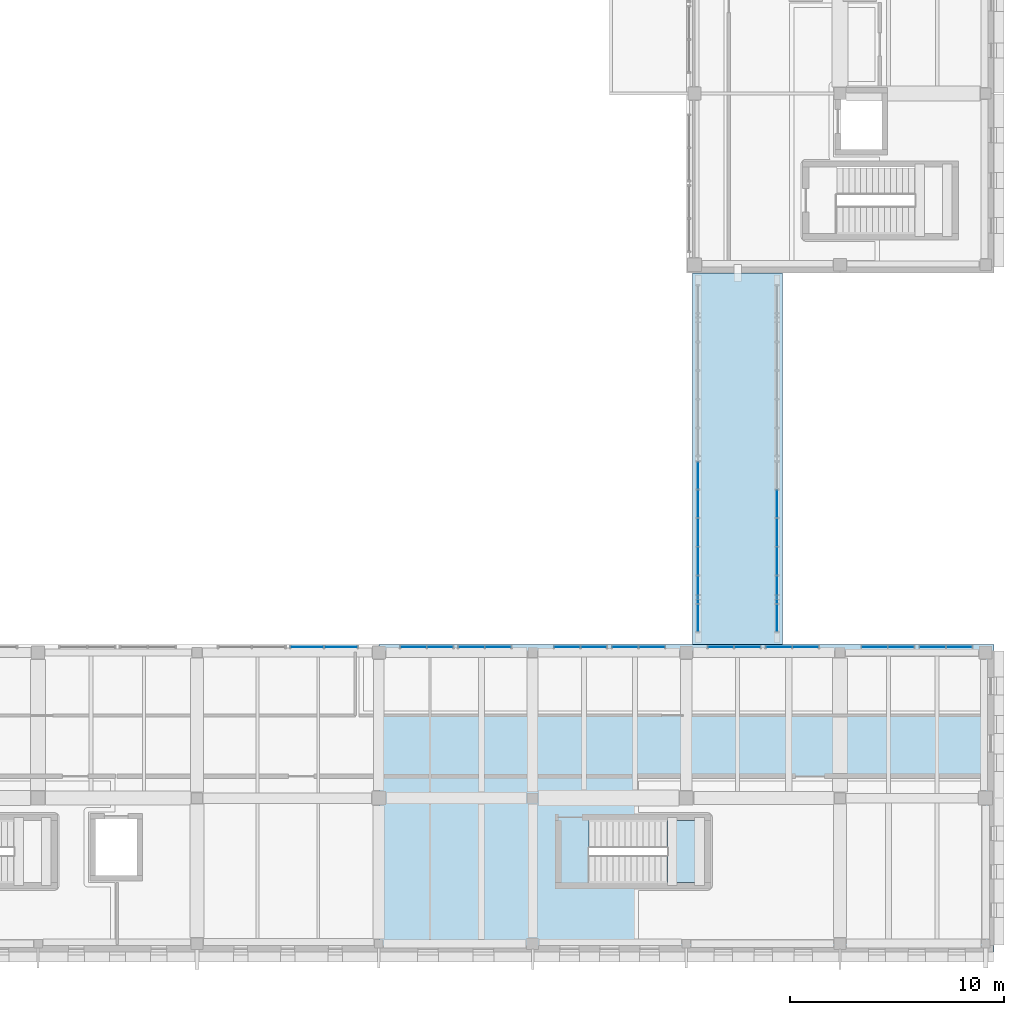
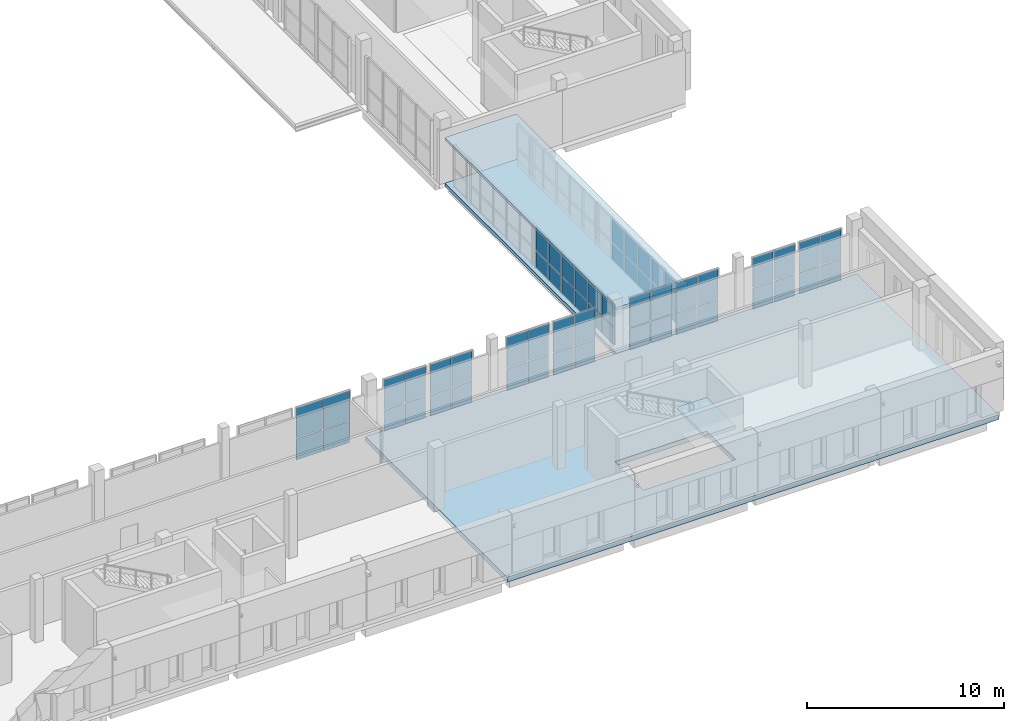
# One storey, part 44 of 76: 58 plates, 4 slabs, 12 elements without a shape of their own.
"""IFC4 building model written with IfcOpenShell, lengths in metres."""

from ifc_helpers import new_model, si_unit, direction, frame, origin, origin_2d, place, context, subcontext, project, spatial, polyline, rectangle, outline, extrude, material, layer, layer_set, type_object, element, aggregate, save


model = new_model("IFC4")

# Units and contexts
model_context = context("Model", 3, precision=1e-05, world=origin(), true_north=direction((0.0, 1.0)))
body_context = subcontext(model_context, "Body", "Model", "MODEL_VIEW")
ifc_project = project(units=[si_unit("LENGTHUNIT", "METRE"), si_unit("AREAUNIT", "SQUARE_METRE"), si_unit("VOLUMEUNIT", "CUBIC_METRE"), si_unit("PLANEANGLEUNIT", "RADIAN"), si_unit("MASSUNIT", "GRAM", prefix="KILO")], contexts=[model_context])

# Site, building, storey
site_placement = place(None, origin())
site = spatial("IfcSite", under=ifc_project, at=site_placement, CompositionType="ELEMENT")
building_placement = place(site_placement, origin())
building = spatial("IfcBuilding", under=site, at=building_placement, Name="Vardoun Plaza Health Centre", CompositionType="ELEMENT")
storey_placement = place(building_placement, frame((0.0, 0.0, 4.5)))
storey = spatial("IfcBuildingStorey", under=building, at=storey_placement, Name="L01", CompositionType="ELEMENT", Elevation=4.5)

# Curtain wall, plates
ifc_material_1 = material(Name="Aluminium Alloy EN AW-6063-T6 and Low-E Glass", Category="aluminium")
ifc_layer_1 = layer(ifc_material_1, 0.14990234375)
ifc_layer_set_1 = layer_set([ifc_layer_1], Name="Aluminium Alloy EN AW-6063-T6 and Low-E Glass")
curtain_wall_type = type_object("IfcCurtainWallType", Name="CW-03", PredefinedType="NOTDEFINED", material=ifc_layer_set_1)
curtain_wall_1_placement = place(storey_placement, origin())
curtain_wall_1 = element("IfcCurtainWall", 1, at=curtain_wall_1_placement, inside=storey, type_object=curtain_wall_type, Name="Curtain Wall CW-V5-156", PredefinedType="NOTDEFINED")
ifc_material_2 = material(Name="Solar-Control Double Low-E Glazing", Category="glass")
ifc_layer_2 = layer(ifc_material_2, 0.028076171875)
ifc_layer_set_2 = layer_set([ifc_layer_2], Name="Solar-Control Double Low-E Glazing")
plate_type = type_object("IfcPlateType", Name="CW-P1", PredefinedType="CURTAIN_PANEL", material=ifc_layer_set_2)
plate_1_placement = place(storey_placement, frame((133.139892578125, 18.780029296875, 0.06005859375), z_axis=(0.0, 0.0, 1.0), x_axis=(1.0, 0.0, 0.0)))
plate_1 = element("IfcPlate", 2, at=plate_1_placement, type_object=plate_type, Name="CW-V5-156 panel 1.1", PredefinedType="CURTAIN_PANEL", context=body_context, shape_type="SweptSolid", body=[
    extrude(rectangle(XDim=1.52001953125, YDim=0.028076171875, at=origin_2d()), origin(), (0.0, 0.0, 1.0), 1.312744140625),
])
plate_2_placement = place(storey_placement, frame((133.139892578125, 18.780029296875, 1.432861328125), z_axis=(0.0, 0.0, 1.0), x_axis=(1.0, 0.0, 0.0)))
plate_2 = element("IfcPlate", 3, at=plate_2_placement, type_object=plate_type, Name="CW-V5-156 panel 1.2", PredefinedType="CURTAIN_PANEL", context=body_context, shape_type="SweptSolid", body=[
    extrude(rectangle(XDim=1.52001953125, YDim=0.028076171875, at=origin_2d()), origin(), (0.0, 0.0, 1.0), 1.84716796875),
])
plate_3_placement = place(storey_placement, frame((134.719970703125, 18.780029296875, 0.06005859375), z_axis=(0.0, 0.0, 1.0), x_axis=(1.0, 0.0, 0.0)))
plate_3 = element("IfcPlate", 4, at=plate_3_placement, type_object=plate_type, Name="CW-V5-156 panel 2.1", PredefinedType="CURTAIN_PANEL", context=body_context, shape_type="SweptSolid", body=[
    extrude(rectangle(XDim=1.52001953125, YDim=0.028076171875, at=origin_2d()), origin(), (0.0, 0.0, 1.0), 1.312744140625),
])
plate_4_placement = place(storey_placement, frame((134.719970703125, 18.780029296875, 1.432861328125), z_axis=(0.0, 0.0, 1.0), x_axis=(1.0, 0.0, 0.0)))
plate_4 = element("IfcPlate", 5, at=plate_4_placement, type_object=plate_type, Name="CW-V5-156 panel 2.2", PredefinedType="CURTAIN_PANEL", context=body_context, shape_type="SweptSolid", body=[
    extrude(rectangle(XDim=1.52001953125, YDim=0.028076171875, at=origin_2d()), origin(), (0.0, 0.0, 1.0), 1.84716796875),
])
aggregate(curtain_wall_1, [plate_1, plate_2, plate_3, plate_4])

curtain_wall_2_placement = place(storey_placement, origin())
curtain_wall_2 = element("IfcCurtainWall", 6, at=curtain_wall_2_placement, inside=storey, type_object=curtain_wall_type, Name="Curtain Wall CW-V5-157", PredefinedType="NOTDEFINED")
plate_5_placement = place(storey_placement, frame((138.114990234375, 18.780029296875, 0.06005859375), z_axis=(0.0, 0.0, 1.0), x_axis=(1.0, 0.0, 0.0)))
plate_5 = element("IfcPlate", 7, at=plate_5_placement, type_object=plate_type, Name="CW-V5-157 panel 1.1", PredefinedType="CURTAIN_PANEL", context=body_context, shape_type="SweptSolid", body=[
    extrude(rectangle(XDim=1.18994140625, YDim=0.028076171875, at=origin_2d()), origin(), (0.0, 0.0, 1.0), 1.291748046875),
])
plate_6_placement = place(storey_placement, frame((138.114990234375, 18.780029296875, 1.41162109375), z_axis=(0.0, 0.0, 1.0), x_axis=(1.0, 0.0, 0.0)))
plate_6 = element("IfcPlate", 8, at=plate_6_placement, type_object=plate_type, Name="CW-V5-157 panel 1.2", PredefinedType="CURTAIN_PANEL", context=body_context, shape_type="SweptSolid", body=[
    extrude(rectangle(XDim=1.18994140625, YDim=0.028076171875, at=origin_2d()), origin(), (0.0, 0.0, 1.0), 1.818115234375),
])
plate_7_placement = place(storey_placement, frame((139.364990234375, 18.780029296875, 0.06005859375), z_axis=(0.0, 0.0, 1.0), x_axis=(1.0, 0.0, 0.0)))
plate_7 = element("IfcPlate", 9, at=plate_7_placement, type_object=plate_type, Name="CW-V5-157 panel 2.1", PredefinedType="CURTAIN_PANEL", context=body_context, shape_type="SweptSolid", body=[
    extrude(rectangle(XDim=1.18994140625, YDim=0.028076171875, at=origin_2d()), origin(), (0.0, 0.0, 1.0), 1.291748046875),
])
plate_8_placement = place(storey_placement, frame((139.364990234375, 18.780029296875, 1.41162109375), z_axis=(0.0, 0.0, 1.0), x_axis=(1.0, 0.0, 0.0)))
plate_8 = element("IfcPlate", 10, at=plate_8_placement, type_object=plate_type, Name="CW-V5-157 panel 2.2", PredefinedType="CURTAIN_PANEL", context=body_context, shape_type="SweptSolid", body=[
    extrude(rectangle(XDim=1.18994140625, YDim=0.028076171875, at=origin_2d()), origin(), (0.0, 0.0, 1.0), 1.818115234375),
])
aggregate(curtain_wall_2, [plate_5, plate_6, plate_7, plate_8])

curtain_wall_3_placement = place(storey_placement, origin())
curtain_wall_3 = element("IfcCurtainWall", 11, at=curtain_wall_3_placement, inside=storey, type_object=curtain_wall_type, Name="Curtain Wall CW-V5-158", PredefinedType="NOTDEFINED")
plate_9_placement = place(storey_placement, frame((140.8349609375, 18.780029296875, 0.06005859375), z_axis=(0.0, 0.0, 1.0), x_axis=(1.0, 0.0, 0.0)))
plate_9 = element("IfcPlate", 12, at=plate_9_placement, type_object=plate_type, Name="CW-V5-158 panel 1.1", PredefinedType="CURTAIN_PANEL", context=body_context, shape_type="SweptSolid", body=[
    extrude(rectangle(XDim=1.18994140625, YDim=0.028076171875, at=origin_2d()), origin(), (0.0, 0.0, 1.0), 1.291748046875),
])
plate_10_placement = place(storey_placement, frame((140.8349609375, 18.780029296875, 1.41162109375), z_axis=(0.0, 0.0, 1.0), x_axis=(1.0, 0.0, 0.0)))
plate_10 = element("IfcPlate", 13, at=plate_10_placement, type_object=plate_type, Name="CW-V5-158 panel 1.2", PredefinedType="CURTAIN_PANEL", context=body_context, shape_type="SweptSolid", body=[
    extrude(rectangle(XDim=1.18994140625, YDim=0.028076171875, at=origin_2d()), origin(), (0.0, 0.0, 1.0), 1.818115234375),
])
plate_11_placement = place(storey_placement, frame((142.0849609375, 18.780029296875, 0.06005859375), z_axis=(0.0, 0.0, 1.0), x_axis=(1.0, 0.0, 0.0)))
plate_11 = element("IfcPlate", 14, at=plate_11_placement, type_object=plate_type, Name="CW-V5-158 panel 2.1", PredefinedType="CURTAIN_PANEL", context=body_context, shape_type="SweptSolid", body=[
    extrude(rectangle(XDim=1.18994140625, YDim=0.028076171875, at=origin_2d()), origin(), (0.0, 0.0, 1.0), 1.291748046875),
])
plate_12_placement = place(storey_placement, frame((142.0849609375, 18.780029296875, 1.41162109375), z_axis=(0.0, 0.0, 1.0), x_axis=(1.0, 0.0, 0.0)))
plate_12 = element("IfcPlate", 15, at=plate_12_placement, type_object=plate_type, Name="CW-V5-158 panel 2.2", PredefinedType="CURTAIN_PANEL", context=body_context, shape_type="SweptSolid", body=[
    extrude(rectangle(XDim=1.18994140625, YDim=0.028076171875, at=origin_2d()), origin(), (0.0, 0.0, 1.0), 1.818115234375),
])
aggregate(curtain_wall_3, [plate_9, plate_10, plate_11, plate_12])

curtain_wall_4_placement = place(storey_placement, origin())
curtain_wall_4 = element("IfcCurtainWall", 16, at=curtain_wall_4_placement, inside=storey, type_object=curtain_wall_type, Name="Curtain Wall CW-V5-159", PredefinedType="NOTDEFINED")
plate_13_placement = place(storey_placement, frame((145.31494140625, 18.780029296875, 0.06005859375), z_axis=(0.0, 0.0, 1.0), x_axis=(1.0, 0.0, 0.0)))
plate_13 = element("IfcPlate", 17, at=plate_13_placement, type_object=plate_type, Name="CW-V5-159 panel 1.1", PredefinedType="CURTAIN_PANEL", context=body_context, shape_type="SweptSolid", body=[
    extrude(rectangle(XDim=1.18994140625, YDim=0.028076171875, at=origin_2d()), origin(), (0.0, 0.0, 1.0), 1.333740234375),
])
plate_14_placement = place(storey_placement, frame((145.31494140625, 18.780029296875, 1.45361328125), z_axis=(0.0, 0.0, 1.0), x_axis=(1.0, 0.0, 0.0)))
plate_14 = element("IfcPlate", 18, at=plate_14_placement, type_object=plate_type, Name="CW-V5-159 panel 1.2", PredefinedType="CURTAIN_PANEL", context=body_context, shape_type="SweptSolid", body=[
    extrude(rectangle(XDim=1.18994140625, YDim=0.028076171875, at=origin_2d()), origin(), (0.0, 0.0, 1.0), 1.876220703125),
])
plate_15_placement = place(storey_placement, frame((146.56494140625, 18.780029296875, 0.06005859375), z_axis=(0.0, 0.0, 1.0), x_axis=(1.0, 0.0, 0.0)))
plate_15 = element("IfcPlate", 19, at=plate_15_placement, type_object=plate_type, Name="CW-V5-159 panel 2.1", PredefinedType="CURTAIN_PANEL", context=body_context, shape_type="SweptSolid", body=[
    extrude(rectangle(XDim=1.18994140625, YDim=0.028076171875, at=origin_2d()), origin(), (0.0, 0.0, 1.0), 1.333740234375),
])
plate_16_placement = place(storey_placement, frame((146.56494140625, 18.780029296875, 1.45361328125), z_axis=(0.0, 0.0, 1.0), x_axis=(1.0, 0.0, 0.0)))
plate_16 = element("IfcPlate", 20, at=plate_16_placement, type_object=plate_type, Name="CW-V5-159 panel 2.2", PredefinedType="CURTAIN_PANEL", context=body_context, shape_type="SweptSolid", body=[
    extrude(rectangle(XDim=1.18994140625, YDim=0.028076171875, at=origin_2d()), origin(), (0.0, 0.0, 1.0), 1.876220703125),
])
aggregate(curtain_wall_4, [plate_13, plate_14, plate_15, plate_16])

curtain_wall_5_placement = place(storey_placement, origin())
curtain_wall_5 = element("IfcCurtainWall", 21, at=curtain_wall_5_placement, inside=storey, type_object=curtain_wall_type, Name="Curtain Wall CW-V5-160", PredefinedType="NOTDEFINED")
plate_17_placement = place(storey_placement, frame((148.034912109375, 18.780029296875, 0.06005859375), z_axis=(0.0, 0.0, 1.0), x_axis=(1.0, 0.0, 0.0)))
plate_17 = element("IfcPlate", 22, at=plate_17_placement, type_object=plate_type, Name="CW-V5-160 panel 1.1", PredefinedType="CURTAIN_PANEL", context=body_context, shape_type="SweptSolid", body=[
    extrude(rectangle(XDim=1.18994140625, YDim=0.028076171875, at=origin_2d()), origin(), (0.0, 0.0, 1.0), 1.333740234375),
])
plate_18_placement = place(storey_placement, frame((148.034912109375, 18.780029296875, 1.45361328125), z_axis=(0.0, 0.0, 1.0), x_axis=(1.0, 0.0, 0.0)))
plate_18 = element("IfcPlate", 23, at=plate_18_placement, type_object=plate_type, Name="CW-V5-160 panel 1.2", PredefinedType="CURTAIN_PANEL", context=body_context, shape_type="SweptSolid", body=[
    extrude(rectangle(XDim=1.18994140625, YDim=0.028076171875, at=origin_2d()), origin(), (0.0, 0.0, 1.0), 1.876220703125),
])
plate_19_placement = place(storey_placement, frame((149.284912109375, 18.780029296875, 0.06005859375), z_axis=(0.0, 0.0, 1.0), x_axis=(1.0, 0.0, 0.0)))
plate_19 = element("IfcPlate", 24, at=plate_19_placement, type_object=plate_type, Name="CW-V5-160 panel 2.1", PredefinedType="CURTAIN_PANEL", context=body_context, shape_type="SweptSolid", body=[
    extrude(rectangle(XDim=1.18994140625, YDim=0.028076171875, at=origin_2d()), origin(), (0.0, 0.0, 1.0), 1.333740234375),
])
plate_20_placement = place(storey_placement, frame((149.284912109375, 18.780029296875, 1.45361328125), z_axis=(0.0, 0.0, 1.0), x_axis=(1.0, 0.0, 0.0)))
plate_20 = element("IfcPlate", 25, at=plate_20_placement, type_object=plate_type, Name="CW-V5-160 panel 2.2", PredefinedType="CURTAIN_PANEL", context=body_context, shape_type="SweptSolid", body=[
    extrude(rectangle(XDim=1.18994140625, YDim=0.028076171875, at=origin_2d()), origin(), (0.0, 0.0, 1.0), 1.876220703125),
])
aggregate(curtain_wall_5, [plate_17, plate_18, plate_19, plate_20])

curtain_wall_6_placement = place(storey_placement, origin())
curtain_wall_6 = element("IfcCurtainWall", 26, at=curtain_wall_6_placement, inside=storey, type_object=curtain_wall_type, Name="Curtain Wall CW-V5-161", PredefinedType="NOTDEFINED")
plate_21_placement = place(storey_placement, frame((152.514892578125, 18.780029296875, 0.06005859375), z_axis=(0.0, 0.0, 1.0), x_axis=(1.0, 0.0, 0.0)))
plate_21 = element("IfcPlate", 27, at=plate_21_placement, type_object=plate_type, Name="CW-V5-161 panel 1.1", PredefinedType="CURTAIN_PANEL", context=body_context, shape_type="SweptSolid", body=[
    extrude(rectangle(XDim=1.18994140625, YDim=0.028076171875, at=origin_2d()), origin(), (0.0, 0.0, 1.0), 1.30029296875),
])
plate_22_placement = place(storey_placement, frame((152.514892578125, 18.780029296875, 1.42041015625), z_axis=(0.0, 0.0, 1.0), x_axis=(1.0, 0.0, 0.0)))
plate_22 = element("IfcPlate", 28, at=plate_22_placement, type_object=plate_type, Name="CW-V5-161 panel 1.2", PredefinedType="CURTAIN_PANEL", context=body_context, shape_type="SweptSolid", body=[
    extrude(rectangle(XDim=1.18994140625, YDim=0.028076171875, at=origin_2d()), origin(), (0.0, 0.0, 1.0), 1.829833984375),
])
plate_23_placement = place(storey_placement, frame((153.764892578125, 18.780029296875, 0.06005859375), z_axis=(0.0, 0.0, 1.0), x_axis=(1.0, 0.0, 0.0)))
plate_23 = element("IfcPlate", 29, at=plate_23_placement, type_object=plate_type, Name="CW-V5-161 panel 2.1", PredefinedType="CURTAIN_PANEL", context=body_context, shape_type="SweptSolid", body=[
    extrude(rectangle(XDim=1.18994140625, YDim=0.028076171875, at=origin_2d()), origin(), (0.0, 0.0, 1.0), 1.30029296875),
])
plate_24_placement = place(storey_placement, frame((153.764892578125, 18.780029296875, 1.42041015625), z_axis=(0.0, 0.0, 1.0), x_axis=(1.0, 0.0, 0.0)))
plate_24 = element("IfcPlate", 30, at=plate_24_placement, type_object=plate_type, Name="CW-V5-161 panel 2.2", PredefinedType="CURTAIN_PANEL", context=body_context, shape_type="SweptSolid", body=[
    extrude(rectangle(XDim=1.18994140625, YDim=0.028076171875, at=origin_2d()), origin(), (0.0, 0.0, 1.0), 1.829833984375),
])
aggregate(curtain_wall_6, [plate_21, plate_22, plate_23, plate_24])

curtain_wall_7_placement = place(storey_placement, origin())
curtain_wall_7 = element("IfcCurtainWall", 31, at=curtain_wall_7_placement, inside=storey, type_object=curtain_wall_type, Name="Curtain Wall CW-V5-162", PredefinedType="NOTDEFINED")
plate_25_placement = place(storey_placement, frame((155.235107421875, 18.780029296875, 0.06005859375), z_axis=(0.0, 0.0, 1.0), x_axis=(1.0, 0.0, 0.0)))
plate_25 = element("IfcPlate", 32, at=plate_25_placement, type_object=plate_type, Name="CW-V5-162 panel 1.1", PredefinedType="CURTAIN_PANEL", context=body_context, shape_type="SweptSolid", body=[
    extrude(rectangle(XDim=1.18994140625, YDim=0.028076171875, at=origin_2d()), origin(), (0.0, 0.0, 1.0), 1.30029296875),
])
plate_26_placement = place(storey_placement, frame((155.235107421875, 18.780029296875, 1.42041015625), z_axis=(0.0, 0.0, 1.0), x_axis=(1.0, 0.0, 0.0)))
plate_26 = element("IfcPlate", 33, at=plate_26_placement, type_object=plate_type, Name="CW-V5-162 panel 1.2", PredefinedType="CURTAIN_PANEL", context=body_context, shape_type="SweptSolid", body=[
    extrude(rectangle(XDim=1.18994140625, YDim=0.028076171875, at=origin_2d()), origin(), (0.0, 0.0, 1.0), 1.829833984375),
])
plate_27_placement = place(storey_placement, frame((156.485107421875, 18.780029296875, 0.06005859375), z_axis=(0.0, 0.0, 1.0), x_axis=(1.0, 0.0, 0.0)))
plate_27 = element("IfcPlate", 34, at=plate_27_placement, type_object=plate_type, Name="CW-V5-162 panel 2.1", PredefinedType="CURTAIN_PANEL", context=body_context, shape_type="SweptSolid", body=[
    extrude(rectangle(XDim=1.18994140625, YDim=0.028076171875, at=origin_2d()), origin(), (0.0, 0.0, 1.0), 1.30029296875),
])
plate_28_placement = place(storey_placement, frame((156.485107421875, 18.780029296875, 1.42041015625), z_axis=(0.0, 0.0, 1.0), x_axis=(1.0, 0.0, 0.0)))
plate_28 = element("IfcPlate", 35, at=plate_28_placement, type_object=plate_type, Name="CW-V5-162 panel 2.2", PredefinedType="CURTAIN_PANEL", context=body_context, shape_type="SweptSolid", body=[
    extrude(rectangle(XDim=1.18994140625, YDim=0.028076171875, at=origin_2d()), origin(), (0.0, 0.0, 1.0), 1.829833984375),
])
aggregate(curtain_wall_7, [plate_25, plate_26, plate_27, plate_28])

curtain_wall_8_placement = place(storey_placement, origin())
curtain_wall_8 = element("IfcCurtainWall", 36, at=curtain_wall_8_placement, inside=storey, type_object=curtain_wall_type, Name="Curtain Wall CW-V5-163", PredefinedType="NOTDEFINED")
plate_29_placement = place(storey_placement, frame((159.715087890625, 18.780029296875, 0.06005859375), z_axis=(0.0, 0.0, 1.0), x_axis=(1.0, 0.0, 0.0)))
plate_29 = element("IfcPlate", 37, at=plate_29_placement, type_object=plate_type, Name="CW-V5-163 panel 1.1", PredefinedType="CURTAIN_PANEL", context=body_context, shape_type="SweptSolid", body=[
    extrude(rectangle(XDim=1.18994140625, YDim=0.028076171875, at=origin_2d()), origin(), (0.0, 0.0, 1.0), 1.283447265625),
])
plate_30_placement = place(storey_placement, frame((159.715087890625, 18.780029296875, 1.4033203125), z_axis=(0.0, 0.0, 1.0), x_axis=(1.0, 0.0, 0.0)))
plate_30 = element("IfcPlate", 38, at=plate_30_placement, type_object=plate_type, Name="CW-V5-163 panel 1.2", PredefinedType="CURTAIN_PANEL", context=body_context, shape_type="SweptSolid", body=[
    extrude(rectangle(XDim=1.18994140625, YDim=0.028076171875, at=origin_2d()), origin(), (0.0, 0.0, 1.0), 1.806640625),
])
plate_31_placement = place(storey_placement, frame((160.965087890625, 18.780029296875, 0.06005859375), z_axis=(0.0, 0.0, 1.0), x_axis=(1.0, 0.0, 0.0)))
plate_31 = element("IfcPlate", 39, at=plate_31_placement, type_object=plate_type, Name="CW-V5-163 panel 2.1", PredefinedType="CURTAIN_PANEL", context=body_context, shape_type="SweptSolid", body=[
    extrude(rectangle(XDim=1.18994140625, YDim=0.028076171875, at=origin_2d()), origin(), (0.0, 0.0, 1.0), 1.283447265625),
])
plate_32_placement = place(storey_placement, frame((160.965087890625, 18.780029296875, 1.4033203125), z_axis=(0.0, 0.0, 1.0), x_axis=(1.0, 0.0, 0.0)))
plate_32 = element("IfcPlate", 40, at=plate_32_placement, type_object=plate_type, Name="CW-V5-163 panel 2.2", PredefinedType="CURTAIN_PANEL", context=body_context, shape_type="SweptSolid", body=[
    extrude(rectangle(XDim=1.18994140625, YDim=0.028076171875, at=origin_2d()), origin(), (0.0, 0.0, 1.0), 1.806640625),
])
aggregate(curtain_wall_8, [plate_29, plate_30, plate_31, plate_32])

curtain_wall_9_placement = place(storey_placement, origin())
curtain_wall_9 = element("IfcCurtainWall", 41, at=curtain_wall_9_placement, inside=storey, type_object=curtain_wall_type, Name="Curtain Wall CW-V5-164", PredefinedType="NOTDEFINED")
plate_33_placement = place(storey_placement, frame((162.43505859375, 18.780029296875, 0.06005859375), z_axis=(0.0, 0.0, 1.0), x_axis=(1.0, 0.0, 0.0)))
plate_33 = element("IfcPlate", 42, at=plate_33_placement, type_object=plate_type, Name="CW-V5-164 panel 1.1", PredefinedType="CURTAIN_PANEL", context=body_context, shape_type="SweptSolid", body=[
    extrude(rectangle(XDim=1.18994140625, YDim=0.028076171875, at=origin_2d()), origin(), (0.0, 0.0, 1.0), 1.283447265625),
])
plate_34_placement = place(storey_placement, frame((162.43505859375, 18.780029296875, 1.4033203125), z_axis=(0.0, 0.0, 1.0), x_axis=(1.0, 0.0, 0.0)))
plate_34 = element("IfcPlate", 43, at=plate_34_placement, type_object=plate_type, Name="CW-V5-164 panel 1.2", PredefinedType="CURTAIN_PANEL", context=body_context, shape_type="SweptSolid", body=[
    extrude(rectangle(XDim=1.18994140625, YDim=0.028076171875, at=origin_2d()), origin(), (0.0, 0.0, 1.0), 1.806640625),
])
plate_35_placement = place(storey_placement, frame((163.68505859375, 18.780029296875, 0.06005859375), z_axis=(0.0, 0.0, 1.0), x_axis=(1.0, 0.0, 0.0)))
plate_35 = element("IfcPlate", 44, at=plate_35_placement, type_object=plate_type, Name="CW-V5-164 panel 2.1", PredefinedType="CURTAIN_PANEL", context=body_context, shape_type="SweptSolid", body=[
    extrude(rectangle(XDim=1.18994140625, YDim=0.028076171875, at=origin_2d()), origin(), (0.0, 0.0, 1.0), 1.283447265625),
])
plate_36_placement = place(storey_placement, frame((163.68505859375, 18.780029296875, 1.4033203125), z_axis=(0.0, 0.0, 1.0), x_axis=(1.0, 0.0, 0.0)))
plate_36 = element("IfcPlate", 45, at=plate_36_placement, type_object=plate_type, Name="CW-V5-164 panel 2.2", PredefinedType="CURTAIN_PANEL", context=body_context, shape_type="SweptSolid", body=[
    extrude(rectangle(XDim=1.18994140625, YDim=0.028076171875, at=origin_2d()), origin(), (0.0, 0.0, 1.0), 1.806640625),
])
aggregate(curtain_wall_9, [plate_33, plate_34, plate_35, plate_36])

curtain_wall_10_placement = place(storey_placement, origin())
curtain_wall_10 = element("IfcCurtainWall", 46, at=curtain_wall_10_placement, inside=storey, type_object=curtain_wall_type, Name="Curtain Wall CW-BR-5WS", PredefinedType="NOTDEFINED")
plate_37_placement = place(storey_placement, frame((151.449951171875, 20.1357421875, 0.06005859375), z_axis=(0.0, 0.0, 1.0), x_axis=(0.0, 1.0, 0.0)))
plate_37 = element("IfcPlate", 47, at=plate_37_placement, type_object=plate_type, Name="CW-BR-5WS panel 1.1", PredefinedType="CURTAIN_PANEL", context=body_context, shape_type="SweptSolid", body=[
    extrude(rectangle(XDim=1.251708984375, YDim=0.028076171875, at=origin_2d()), origin(), (0.0, 0.0, 1.0), 1.02294921875),
])
plate_38_placement = place(storey_placement, frame((151.449951171875, 20.1357421875, 1.14306640625), z_axis=(0.0, 0.0, 1.0), x_axis=(0.0, 1.0, 0.0)))
plate_38 = element("IfcPlate", 48, at=plate_38_placement, type_object=plate_type, Name="CW-BR-5WS panel 1.2", PredefinedType="CURTAIN_PANEL", context=body_context, shape_type="SweptSolid", body=[
    extrude(rectangle(XDim=1.251708984375, YDim=0.028076171875, at=origin_2d()), origin(), (0.0, 0.0, 1.0), 1.447021484375),
])
plate_39_placement = place(storey_placement, frame((151.449951171875, 21.46240234375, 0.06005859375), z_axis=(0.0, 0.0, 1.0), x_axis=(0.0, 1.0, 0.0)))
plate_39 = element("IfcPlate", 49, at=plate_39_placement, type_object=plate_type, Name="CW-BR-5WS panel 2.1", PredefinedType="CURTAIN_PANEL", context=body_context, shape_type="SweptSolid", body=[
    extrude(rectangle(XDim=1.28173828125, YDim=0.028076171875, at=origin_2d()), origin(), (0.0, 0.0, 1.0), 1.02294921875),
])
plate_40_placement = place(storey_placement, frame((151.449951171875, 21.46240234375, 1.14306640625), z_axis=(0.0, 0.0, 1.0), x_axis=(0.0, 1.0, 0.0)))
plate_40 = element("IfcPlate", 50, at=plate_40_placement, type_object=plate_type, Name="CW-BR-5WS panel 2.2", PredefinedType="CURTAIN_PANEL", context=body_context, shape_type="SweptSolid", body=[
    extrude(rectangle(XDim=1.28173828125, YDim=0.028076171875, at=origin_2d()), origin(), (0.0, 0.0, 1.0), 1.447021484375),
])
plate_41_placement = place(storey_placement, frame((151.449951171875, 22.80419921875, 0.06005859375), z_axis=(0.0, 0.0, 1.0), x_axis=(0.0, 1.0, 0.0)))
plate_41 = element("IfcPlate", 51, at=plate_41_placement, type_object=plate_type, Name="CW-BR-5WS panel 3.1", PredefinedType="CURTAIN_PANEL", context=body_context, shape_type="SweptSolid", body=[
    extrude(rectangle(XDim=1.28173828125, YDim=0.028076171875, at=origin_2d()), origin(), (0.0, 0.0, 1.0), 1.02294921875),
])
plate_42_placement = place(storey_placement, frame((151.449951171875, 22.80419921875, 1.14306640625), z_axis=(0.0, 0.0, 1.0), x_axis=(0.0, 1.0, 0.0)))
plate_42 = element("IfcPlate", 52, at=plate_42_placement, type_object=plate_type, Name="CW-BR-5WS panel 3.2", PredefinedType="CURTAIN_PANEL", context=body_context, shape_type="SweptSolid", body=[
    extrude(rectangle(XDim=1.28173828125, YDim=0.028076171875, at=origin_2d()), origin(), (0.0, 0.0, 1.0), 1.447021484375),
])
plate_43_placement = place(storey_placement, frame((151.449951171875, 24.145751953125, 0.06005859375), z_axis=(0.0, 0.0, 1.0), x_axis=(0.0, 1.0, 0.0)))
plate_43 = element("IfcPlate", 53, at=plate_43_placement, type_object=plate_type, Name="CW-BR-5WS panel 4.1", PredefinedType="CURTAIN_PANEL", context=body_context, shape_type="SweptSolid", body=[
    extrude(rectangle(XDim=1.28173828125, YDim=0.028076171875, at=origin_2d()), origin(), (0.0, 0.0, 1.0), 1.02294921875),
])
plate_44_placement = place(storey_placement, frame((151.449951171875, 24.145751953125, 1.14306640625), z_axis=(0.0, 0.0, 1.0), x_axis=(0.0, 1.0, 0.0)))
plate_44 = element("IfcPlate", 54, at=plate_44_placement, type_object=plate_type, Name="CW-BR-5WS panel 4.2", PredefinedType="CURTAIN_PANEL", context=body_context, shape_type="SweptSolid", body=[
    extrude(rectangle(XDim=1.28173828125, YDim=0.028076171875, at=origin_2d()), origin(), (0.0, 0.0, 1.0), 1.447021484375),
])
plate_45_placement = place(storey_placement, frame((151.449951171875, 25.487548828125, 0.06005859375), z_axis=(0.0, 0.0, 1.0), x_axis=(0.0, 1.0, 0.0)))
plate_45 = element("IfcPlate", 55, at=plate_45_placement, type_object=plate_type, Name="CW-BR-5WS panel 5.1", PredefinedType="CURTAIN_PANEL", context=body_context, shape_type="SweptSolid", body=[
    extrude(rectangle(XDim=1.28173828125, YDim=0.028076171875, at=origin_2d()), origin(), (0.0, 0.0, 1.0), 1.02294921875),
])
plate_46_placement = place(storey_placement, frame((151.449951171875, 25.487548828125, 1.14306640625), z_axis=(0.0, 0.0, 1.0), x_axis=(0.0, 1.0, 0.0)))
plate_46 = element("IfcPlate", 56, at=plate_46_placement, type_object=plate_type, Name="CW-BR-5WS panel 5.2", PredefinedType="CURTAIN_PANEL", context=body_context, shape_type="SweptSolid", body=[
    extrude(rectangle(XDim=1.28173828125, YDim=0.028076171875, at=origin_2d()), origin(), (0.0, 0.0, 1.0), 1.447021484375),
])
plate_47_placement = place(storey_placement, frame((151.449951171875, 26.814208984375, 0.06005859375), z_axis=(0.0, 0.0, 1.0), x_axis=(0.0, 1.0, 0.0)))
plate_47 = element("IfcPlate", 57, at=plate_47_placement, type_object=plate_type, Name="CW-BR-5WS panel 6.1", PredefinedType="CURTAIN_PANEL", context=body_context, shape_type="SweptSolid", body=[
    extrude(rectangle(XDim=1.251708984375, YDim=0.028076171875, at=origin_2d()), origin(), (0.0, 0.0, 1.0), 1.02294921875),
])
plate_48_placement = place(storey_placement, frame((151.449951171875, 26.814208984375, 1.14306640625), z_axis=(0.0, 0.0, 1.0), x_axis=(0.0, 1.0, 0.0)))
plate_48 = element("IfcPlate", 58, at=plate_48_placement, type_object=plate_type, Name="CW-BR-5WS panel 6.2", PredefinedType="CURTAIN_PANEL", context=body_context, shape_type="SweptSolid", body=[
    extrude(rectangle(XDim=1.251708984375, YDim=0.028076171875, at=origin_2d()), origin(), (0.0, 0.0, 1.0), 1.447021484375),
])
aggregate(curtain_wall_10, [plate_37, plate_38, plate_39, plate_40, plate_41, plate_42, plate_43, plate_44, plate_45, plate_46, plate_47, plate_48])

curtain_wall_11_placement = place(storey_placement, origin())
curtain_wall_11 = element("IfcCurtainWall", 59, at=curtain_wall_11_placement, inside=storey, type_object=curtain_wall_type, Name="Curtain Wall CW-BR-5ES", PredefinedType="NOTDEFINED")
plate_49_placement = place(storey_placement, frame((155.14990234375, 25.487548828125, 0.06005859375), z_axis=(0.0, 0.0, 1.0), x_axis=(0.0, -1.0, 0.0)))
plate_49 = element("IfcPlate", 60, at=plate_49_placement, type_object=plate_type, Name="CW-BR-5ES panel 2.1", PredefinedType="CURTAIN_PANEL", context=body_context, shape_type="SweptSolid", body=[
    extrude(rectangle(XDim=1.28173828125, YDim=0.028076171875, at=origin_2d()), origin(), (0.0, 0.0, 1.0), 1.02294921875),
])
plate_50_placement = place(storey_placement, frame((155.14990234375, 25.487548828125, 1.14306640625), z_axis=(0.0, 0.0, 1.0), x_axis=(0.0, -1.0, 0.0)))
plate_50 = element("IfcPlate", 61, at=plate_50_placement, type_object=plate_type, Name="CW-BR-5ES panel 2.2", PredefinedType="CURTAIN_PANEL", context=body_context, shape_type="SweptSolid", body=[
    extrude(rectangle(XDim=1.28173828125, YDim=0.028076171875, at=origin_2d()), origin(), (0.0, 0.0, 1.0), 1.447021484375),
])
plate_51_placement = place(storey_placement, frame((155.14990234375, 24.145751953125, 0.06005859375), z_axis=(0.0, 0.0, 1.0), x_axis=(0.0, -1.0, 0.0)))
plate_51 = element("IfcPlate", 62, at=plate_51_placement, type_object=plate_type, Name="CW-BR-5ES panel 3.1", PredefinedType="CURTAIN_PANEL", context=body_context, shape_type="SweptSolid", body=[
    extrude(rectangle(XDim=1.28173828125, YDim=0.028076171875, at=origin_2d()), origin(), (0.0, 0.0, 1.0), 1.02294921875),
])
plate_52_placement = place(storey_placement, frame((155.14990234375, 24.145751953125, 1.14306640625), z_axis=(0.0, 0.0, 1.0), x_axis=(0.0, -1.0, 0.0)))
plate_52 = element("IfcPlate", 63, at=plate_52_placement, type_object=plate_type, Name="CW-BR-5ES panel 3.2", PredefinedType="CURTAIN_PANEL", context=body_context, shape_type="SweptSolid", body=[
    extrude(rectangle(XDim=1.28173828125, YDim=0.028076171875, at=origin_2d()), origin(), (0.0, 0.0, 1.0), 1.447021484375),
])
plate_53_placement = place(storey_placement, frame((155.14990234375, 22.80419921875, 0.06005859375), z_axis=(0.0, 0.0, 1.0), x_axis=(0.0, -1.0, 0.0)))
plate_53 = element("IfcPlate", 64, at=plate_53_placement, type_object=plate_type, Name="CW-BR-5ES panel 4.1", PredefinedType="CURTAIN_PANEL", context=body_context, shape_type="SweptSolid", body=[
    extrude(rectangle(XDim=1.28173828125, YDim=0.028076171875, at=origin_2d()), origin(), (0.0, 0.0, 1.0), 1.02294921875),
])
plate_54_placement = place(storey_placement, frame((155.14990234375, 22.80419921875, 1.14306640625), z_axis=(0.0, 0.0, 1.0), x_axis=(0.0, -1.0, 0.0)))
plate_54 = element("IfcPlate", 65, at=plate_54_placement, type_object=plate_type, Name="CW-BR-5ES panel 4.2", PredefinedType="CURTAIN_PANEL", context=body_context, shape_type="SweptSolid", body=[
    extrude(rectangle(XDim=1.28173828125, YDim=0.028076171875, at=origin_2d()), origin(), (0.0, 0.0, 1.0), 1.447021484375),
])
plate_55_placement = place(storey_placement, frame((155.14990234375, 21.46240234375, 0.06005859375), z_axis=(0.0, 0.0, 1.0), x_axis=(0.0, -1.0, 0.0)))
plate_55 = element("IfcPlate", 66, at=plate_55_placement, type_object=plate_type, Name="CW-BR-5ES panel 5.1", PredefinedType="CURTAIN_PANEL", context=body_context, shape_type="SweptSolid", body=[
    extrude(rectangle(XDim=1.28173828125, YDim=0.028076171875, at=origin_2d()), origin(), (0.0, 0.0, 1.0), 1.02294921875),
])
plate_56_placement = place(storey_placement, frame((155.14990234375, 21.46240234375, 1.14306640625), z_axis=(0.0, 0.0, 1.0), x_axis=(0.0, -1.0, 0.0)))
plate_56 = element("IfcPlate", 67, at=plate_56_placement, type_object=plate_type, Name="CW-BR-5ES panel 5.2", PredefinedType="CURTAIN_PANEL", context=body_context, shape_type="SweptSolid", body=[
    extrude(rectangle(XDim=1.28173828125, YDim=0.028076171875, at=origin_2d()), origin(), (0.0, 0.0, 1.0), 1.447021484375),
])
plate_57_placement = place(storey_placement, frame((155.14990234375, 20.1357421875, 0.06005859375), z_axis=(0.0, 0.0, 1.0), x_axis=(0.0, -1.0, 0.0)))
plate_57 = element("IfcPlate", 68, at=plate_57_placement, type_object=plate_type, Name="CW-BR-5ES panel 6.1", PredefinedType="CURTAIN_PANEL", context=body_context, shape_type="SweptSolid", body=[
    extrude(rectangle(XDim=1.251708984375, YDim=0.028076171875, at=origin_2d()), origin(), (0.0, 0.0, 1.0), 1.02294921875),
])
plate_58_placement = place(storey_placement, frame((155.14990234375, 20.1357421875, 1.14306640625), z_axis=(0.0, 0.0, 1.0), x_axis=(0.0, -1.0, 0.0)))
plate_58 = element("IfcPlate", 69, at=plate_58_placement, type_object=plate_type, Name="CW-BR-5ES panel 6.2", PredefinedType="CURTAIN_PANEL", context=body_context, shape_type="SweptSolid", body=[
    extrude(rectangle(XDim=1.251708984375, YDim=0.028076171875, at=origin_2d()), origin(), (0.0, 0.0, 1.0), 1.447021484375),
])
aggregate(curtain_wall_11, [plate_49, plate_50, plate_51, plate_52, plate_53, plate_54, plate_55, plate_56, plate_57, plate_58])

# Stair, slab
ifc_material_3 = material(Name="Concrete C35/45", Category="concrete")
stair_type = type_object("IfcStairType", Name="ST-01", PredefinedType="HALF_TURN_STAIR", material=ifc_material_3)
stair_placement = place(storey_placement, origin())
stair = element("IfcStair", 70, at=stair_placement, inside=storey, type_object=stair_type, Name="Core C9 L01 Exit Stair ST-C9-L01", PredefinedType="HALF_TURN_STAIR")
ifc_material_4 = material(Name="Concrete C35/45", Category="concrete")
ifc_layer_3 = layer(ifc_material_4, 0.199951171875)
ifc_layer_set_3 = layer_set([ifc_layer_3], Name="Concrete C35/45")
slab_type_1 = type_object("IfcSlabType", Name="SL-LD", PredefinedType="LANDING", material=ifc_layer_set_3)
slab_1_placement = place(storey_placement, frame((0.0, 0.0, 1.89990234375)))
slab_1 = element("IfcSlab", 71, at=slab_1_placement, type_object=slab_type_1, Name="ST-C9-L01 landing 1", PredefinedType="LANDING", context=body_context, shape_type="SweptSolid", body=[
    extrude(outline(polyline([(149.989501953125, 7.75), (151.75, 7.75), (151.75, 10.64990234375), (149.989501953125, 10.64990234375), (149.989501953125, 7.75)])), origin(), (0.0, 0.0, 1.0), 0.2001953125),
])
aggregate(stair, [slab_1])

# Slabs
ifc_material_5 = material(Name="Pale Limestone Concrete C35/45", Category="masonry")
ifc_layer_4 = layer(ifc_material_5, 0.175048828125)
ifc_layer_set_4 = layer_set([ifc_layer_4], Name="Pale Limestone Concrete C35/45")
slab_type_2 = type_object("IfcSlabType", Name="RF-05", PredefinedType="ROOF", material=ifc_layer_set_4)
slab_2_placement = place(storey_placement, frame((0.0, 0.0, 2.64990234375)))
element("IfcSlab", 72, at=slab_2_placement, inside=storey, type_object=slab_type_2, Name="Covered Passage BR-05 Roof Slab", PredefinedType="ROOF", context=body_context, shape_type="SweptSolid", body=[
    extrude(outline(polyline([(151.199951171875, 18.89990234375), (155.39990234375, 18.89990234375), (155.39990234375, 36.300048828125), (151.199951171875, 36.300048828125), (151.199951171875, 18.89990234375)])), origin(), (0.0, 0.0, 1.0), 0.175048828125),
])
ifc_material_6 = material(Name="Concrete C35/45", Category="concrete")
ifc_layer_5 = layer(ifc_material_6, 0.219970703125)
ifc_layer_set_5 = layer_set([ifc_layer_5], Name="Concrete C35/45")
slab_type_3 = type_object("IfcSlabType", Name="SL-06", PredefinedType="FLOOR", material=ifc_layer_set_5)
slab_3_placement = place(storey_placement, frame((0.0, 0.0, -0.219970703125)))
element("IfcSlab", 73, at=slab_3_placement, inside=storey, type_object=slab_type_3, Name="Seismic Link Bridge BR-05 Deck", PredefinedType="FLOOR", context=body_context, shape_type="SweptSolid", body=[
    extrude(outline(polyline([(151.199951171875, 18.89990234375), (155.39990234375, 18.89990234375), (155.39990234375, 36.300048828125), (151.199951171875, 36.300048828125), (151.199951171875, 18.89990234375)])), origin(), (0.0, 0.0, 1.0), 0.219970703125),
])
ifc_material_7 = material(Name="Concrete C35/45", Category="concrete")
ifc_layer_6 = layer(ifc_material_7, 0.294921875)
ifc_layer_set_6 = layer_set([ifc_layer_6], Name="Concrete C35/45")
slab_type_4 = type_object("IfcSlabType", Name="SL-04", PredefinedType="FLOOR", material=ifc_layer_set_6)
slab_4_placement = place(storey_placement, frame((0.0, 0.0, -0.294921875)))
element("IfcSlab", 74, at=slab_4_placement, inside=storey, type_object=slab_type_4, Name="V5 L01 Structural Slab B", PredefinedType="FLOOR", context=body_context, shape_type="SweptSolid", body=[
    extrude(outline(polyline([(136.5, 4.5), (165.300048828125, 4.5), (165.300048828125, 18.89990234375), (136.5, 18.89990234375), (136.5, 4.5)]), holes=[polyline([(146.3505859375, 7.75), (151.75, 7.75), (151.75, 10.64990234375), (146.3505859375, 10.64990234375), (146.3505859375, 7.75)])]), origin(), (0.0, 0.0, 1.0), 0.294921875),
])

save(model, "model.ifc")
